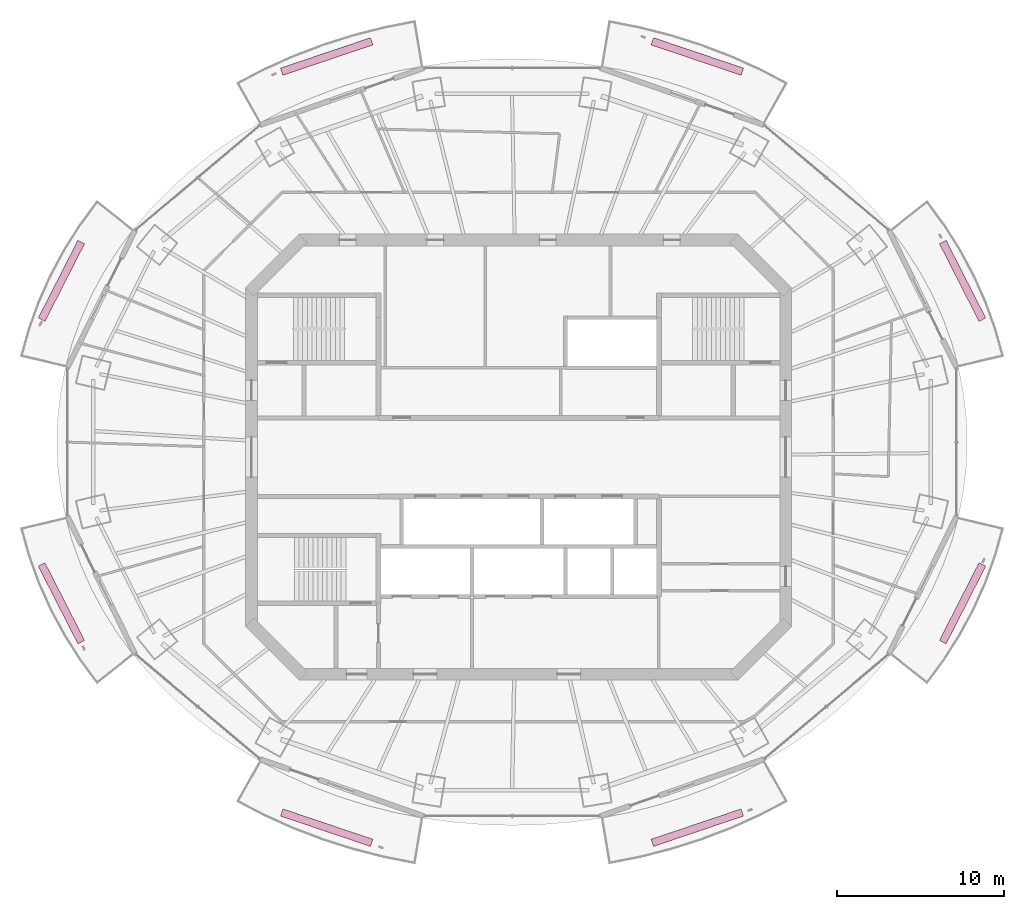
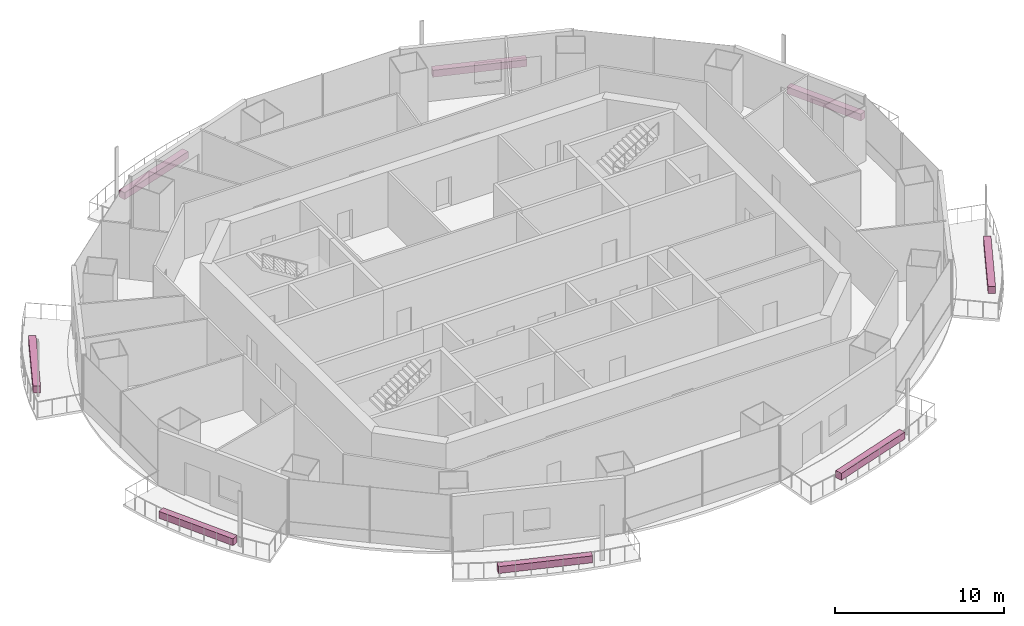
# One storey, part 16 of 16: 8 furnishings.
"""IFC4 building model written with IfcOpenShell, lengths in metres."""

from ifc_helpers import new_model, si_unit, direction, frame, origin, origin_2d, place, context, subcontext, project, spatial, rectangle, extrude, material, type_object, element, save


model = new_model("IFC4")

# Units and contexts
model_context = context("Model", 3, precision=1e-05, world=origin(), true_north=direction((0.0, 1.0)))
body_context = subcontext(model_context, "Body", "Model", "MODEL_VIEW")
ifc_project = project(units=[si_unit("LENGTHUNIT", "METRE"), si_unit("AREAUNIT", "SQUARE_METRE"), si_unit("VOLUMEUNIT", "CUBIC_METRE"), si_unit("PLANEANGLEUNIT", "RADIAN"), si_unit("MASSUNIT", "GRAM", prefix="KILO")], contexts=[model_context])

# Site, building, storey
site_placement = place(None, origin())
site = spatial("IfcSite", under=ifc_project, at=site_placement, CompositionType="ELEMENT")
building_placement = place(site_placement, origin())
building = spatial("IfcBuilding", under=site, at=building_placement, Name="Marenthal Gate Tower", CompositionType="ELEMENT")
storey_placement = place(building_placement, frame((0.0, 0.0, 338.449951171875)))
storey = spatial("IfcBuildingStorey", under=building, at=storey_placement, Name="L76", CompositionType="ELEMENT", Elevation=338.449951171875)

# Furnishings
ifc_material = material(Name="Planting soil and foliage", Category="planting")
furnishing_element_type = type_object("IfcFurnishingElementType", Name="Balcony PLANTER trough", material=ifc_material)
furnishing_1_placement = place(storey_placement, frame((26.588623046875, 10.557373046875, -0.0400390625), z_axis=(0.0, 0.0, 1.0), x_axis=(-0.454476307022, 0.890758826145, 0.0)))
element("IfcFurnishingElement", 1, at=furnishing_1_placement, inside=storey, type_object=furnishing_element_type, Name="Balcony PLANTER L76 bay 1", ObjectType="PLANTER", context=body_context, shape_type="SweptSolid", body=[
    extrude(rectangle(XDim=5.2216796875, YDim=0.449951171875, at=origin_2d()), origin(), (0.0, 0.0, 1.0), 0.5),
])
for number, where, z_axis, x_axis, name in (
    (2, (10.7001953125, 23.9951171875, -0.0400390625), (0.0, 0.0, 1.0), (-0.947479099631, 0.319817691447, 0.0), "Balcony PLANTER L76 bay 3"),
    (3, (-11.5, 23.9951171875, -0.0400390625), (0.0, 0.0, 1.0), (-0.947479099631, -0.319817691447, 0.0), "Balcony PLANTER L76 bay 5"),
):
    element("IfcFurnishingElement", number, at=place(storey_placement, frame(where, z_axis=z_axis, x_axis=x_axis)), inside=storey, type_object=furnishing_element_type, Name=name, ObjectType="PLANTER", context=body_context, shape_type="SweptSolid", body=[
        extrude(rectangle(XDim=5.68798828125, YDim=0.449951171875, at=origin_2d()), origin(), (0.0, 0.0, 1.0), 0.5),
    ])
for number, where, z_axis, x_axis, name in (
    (4, (-27.388671875, 10.557373046875, -0.0400390625), (0.0, 0.0, 1.0), (-0.454476307022, -0.890758826145, 0.0), "Balcony PLANTER L76 bay 7"),
    (5, (-27.388671875, -8.75732421875, -0.0400390625), (0.0, 0.0, 1.0), (0.454476307022, -0.890758826145, 0.0), "Balcony PLANTER L76 bay 9"),
):
    element("IfcFurnishingElement", number, at=place(storey_placement, frame(where, z_axis=z_axis, x_axis=x_axis)), inside=storey, type_object=furnishing_element_type, Name=name, ObjectType="PLANTER", context=body_context, shape_type="SweptSolid", body=[
        extrude(rectangle(XDim=5.2216796875, YDim=0.449951171875, at=origin_2d()), origin(), (0.0, 0.0, 1.0), 0.5),
    ])
for number, where, z_axis, x_axis, name in (
    (6, (-11.5, -22.195068359375, -0.0400390625), (0.0, 0.0, 1.0), (0.947479099631, -0.319817691447, 0.0), "Balcony PLANTER L76 bay 11"),
    (7, (10.7001953125, -22.195068359375, -0.0400390625), (0.0, 0.0, 1.0), (0.947479099631, 0.319817691447, 0.0), "Balcony PLANTER L76 bay 13"),
):
    element("IfcFurnishingElement", number, at=place(storey_placement, frame(where, z_axis=z_axis, x_axis=x_axis)), inside=storey, type_object=furnishing_element_type, Name=name, ObjectType="PLANTER", context=body_context, shape_type="SweptSolid", body=[
        extrude(rectangle(XDim=5.68798828125, YDim=0.449951171875, at=origin_2d()), origin(), (0.0, 0.0, 1.0), 0.5),
    ])
furnishing_2_placement = place(storey_placement, frame((26.588623046875, -8.75732421875, -0.0400390625), z_axis=(0.0, 0.0, 1.0), x_axis=(0.454476307022, 0.890758826145, 0.0)))
element("IfcFurnishingElement", 8, at=furnishing_2_placement, inside=storey, type_object=furnishing_element_type, Name="Balcony PLANTER L76 bay 15", ObjectType="PLANTER", context=body_context, shape_type="SweptSolid", body=[
    extrude(rectangle(XDim=5.2216796875, YDim=0.449951171875, at=origin_2d()), origin(), (0.0, 0.0, 1.0), 0.5),
])

save(model, "model.ifc")
